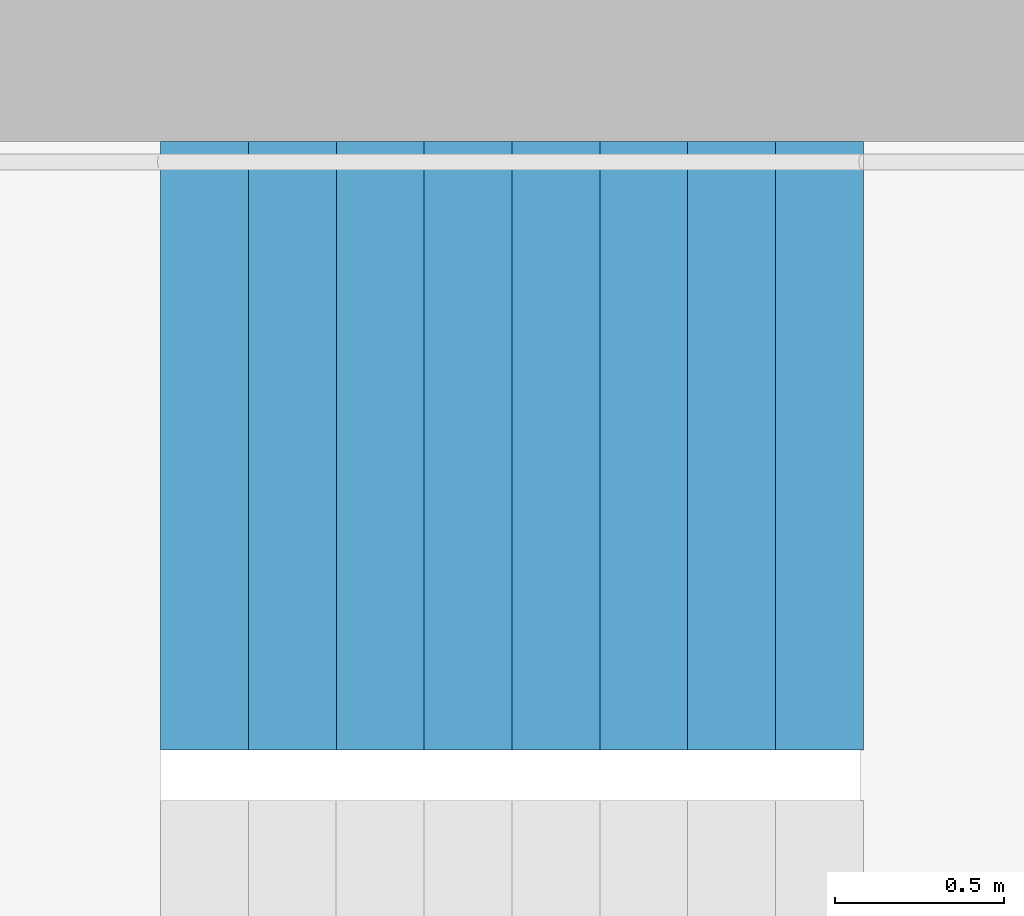
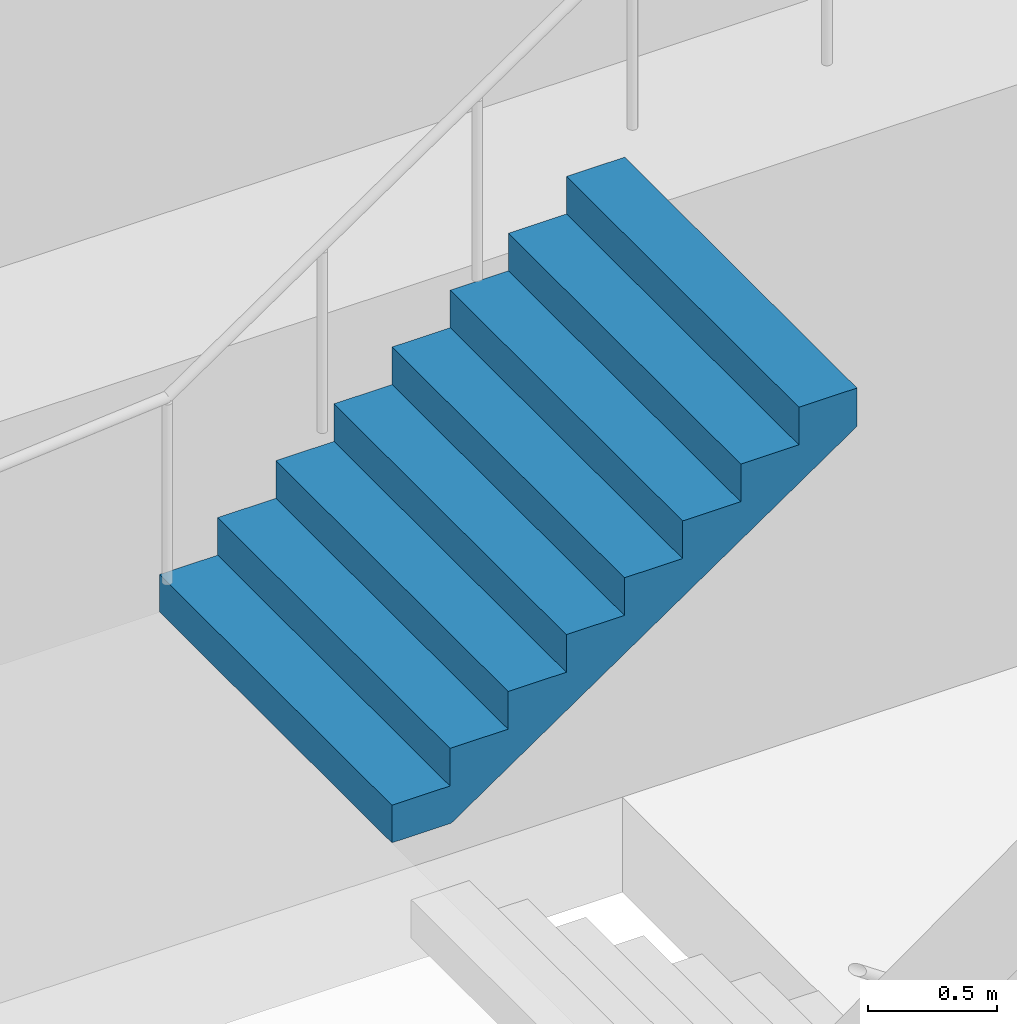
# One storey, part 25 of 26: 1 stair flight, 1 element without a shape of its own.
"""IFC4 building model written with IfcOpenShell, lengths in metres."""

from ifc_helpers import new_model, si_unit, direction, frame, origin, place, context, subcontext, project, spatial, triangles, material, type_object, element, aggregate, save


model = new_model("IFC4")

# Units and contexts
model_context = context("Model", 3, precision=1e-05, world=origin(), true_north=direction((0.0, 1.0)))
body_context = subcontext(model_context, "Body", "Model", "MODEL_VIEW")
ifc_project = project(units=[si_unit("LENGTHUNIT", "METRE"), si_unit("AREAUNIT", "SQUARE_METRE"), si_unit("VOLUMEUNIT", "CUBIC_METRE"), si_unit("PLANEANGLEUNIT", "RADIAN"), si_unit("MASSUNIT", "GRAM", prefix="KILO")], contexts=[model_context])

# Site, building, storey
site_placement = place(None, origin())
site = spatial("IfcSite", under=ifc_project, at=site_placement, CompositionType="ELEMENT")
building_placement = place(site_placement, origin())
building = spatial("IfcBuilding", under=site, at=building_placement, Name="Hakoniwa Tower and Hamabe Station Hall", CompositionType="ELEMENT")
storey_placement = place(building_placement, frame((0.0, 0.0, 159.800048828125)))
storey = spatial("IfcBuildingStorey", under=building, at=storey_placement, Name="L45", CompositionType="ELEMENT", Elevation=159.800048828125)

# Stair, stair flight
ifc_material_1 = material(Name="Concrete C40", Category="concrete")
stair_type = type_object("IfcStairType", Name="ESCAPE STAIR 1800", PredefinedType="HALF_TURN_STAIR", material=ifc_material_1)
stair_placement = place(storey_placement, origin())
stair = element("IfcStair", 1, at=stair_placement, inside=storey, type_object=stair_type, Name="Escape stair ST-3 L45", PredefinedType="HALF_TURN_STAIR")
ifc_material_2 = material(Name="Concrete C40", Category="concrete")
stair_flight_type = type_object("IfcStairFlightType", Name="STAIR FLIGHT 1800", PredefinedType="STRAIGHT", material=ifc_material_2)
stair_flight_placement = place(storey_placement, frame((22.320068359375, 6.60009765625, 1.599853515625), z_axis=(0.0, 0.0, 1.0), x_axis=(1.0, 0.0, 0.0)))
stair_flight = element("IfcStairFlight", 2, at=stair_flight_placement, type_object=stair_flight_type, Name="ST-3 flight 2", NumberOfRisers=9, NumberOfTreads=8, PredefinedType="STRAIGHT", RiserHeight=0.177777778, TreadLength=0.26, context=body_context, shape_type="Tessellation", body=[
    triangles([(0.0, 0.89990234375, 0.0), (0.260009765625, 0.89990234375, 0.0), (0.265625, 0.89990234375, 0.0), (0.52001953125, 0.89990234375, 0.174072265625), (0.780029296875, 0.89990234375, 0.351806640625), (1.0400390625, 0.89990234375, 0.529541015625), (1.300048828125, 0.89990234375, 0.707275390625), (1.56005859375, 0.89990234375, 0.885009765625), (1.820068359375, 0.89990234375, 1.062744140625), (2.080078125, 0.89990234375, 1.24072265625), (2.080078125, 0.89990234375, 1.422119140625), (1.820068359375, 0.89990234375, 1.422119140625), (1.820068359375, 0.89990234375, 1.244384765625), (1.56005859375, 0.89990234375, 1.244384765625), (1.56005859375, 0.89990234375, 1.066650390625), (1.300048828125, 0.89990234375, 1.066650390625), (1.300048828125, 0.89990234375, 0.888916015625), (1.0400390625, 0.89990234375, 0.888916015625), (1.0400390625, 0.89990234375, 0.711181640625), (0.780029296875, 0.89990234375, 0.711181640625), (0.780029296875, 0.89990234375, 0.533447265625), (0.52001953125, 0.89990234375, 0.533447265625), (0.52001953125, 0.89990234375, 0.35546875), (0.265625, 0.89990234375, 0.35546875), (0.260009765625, 0.89990234375, 0.35546875), (0.260009765625, 0.89990234375, 0.177734375), (0.0, 0.89990234375, 0.177734375), (0.0, 0.06005859375, 0.0), (0.260009765625, 0.06005859375, 0.0), (0.265625, 0.06005859375, 0.0), (0.52001953125, 0.06005859375, 0.174072265625), (0.780029296875, 0.06005859375, 0.351806640625), (1.0400390625, 0.06005859375, 0.529541015625), (1.300048828125, 0.06005859375, 0.707275390625), (1.56005859375, 0.06005859375, 0.885009765625), (1.820068359375, 0.06005859375, 1.062744140625), (2.080078125, 0.06005859375, 1.24072265625), (2.080078125, 0.06005859375, 1.422119140625), (1.820068359375, 0.06005859375, 1.422119140625), (1.820068359375, 0.06005859375, 1.244384765625), (1.56005859375, 0.06005859375, 1.244384765625), (1.56005859375, 0.06005859375, 1.066650390625), (1.300048828125, 0.06005859375, 1.066650390625), (1.300048828125, 0.06005859375, 0.888916015625), (1.0400390625, 0.06005859375, 0.888916015625), (1.0400390625, 0.06005859375, 0.711181640625), (0.780029296875, 0.06005859375, 0.711181640625), (0.780029296875, 0.06005859375, 0.533447265625), (0.52001953125, 0.06005859375, 0.533447265625), (0.52001953125, 0.06005859375, 0.35546875), (0.265625, 0.06005859375, 0.35546875), (0.260009765625, 0.06005859375, 0.35546875), (0.260009765625, 0.06005859375, 0.177734375), (0.0, 0.06005859375, 0.177734375), (0.0, 0.04296875, 0.0), (0.260009765625, 0.04296875, 0.0), (0.265625, 0.04296875, 0.0), (0.52001953125, 0.04296875, 0.174072265625), (0.780029296875, 0.04296875, 0.351806640625), (1.0400390625, 0.04296875, 0.529541015625), (1.300048828125, 0.04296875, 0.707275390625), (1.56005859375, 0.04296875, 0.885009765625), (1.820068359375, 0.04296875, 1.062744140625), (2.080078125, 0.04296875, 1.24072265625), (2.080078125, 0.04296875, 1.422119140625), (1.820068359375, 0.04296875, 1.422119140625), (1.820068359375, 0.04296875, 1.244384765625), (1.56005859375, 0.04296875, 1.244384765625), (1.56005859375, 0.04296875, 1.066650390625), (1.300048828125, 0.04296875, 1.066650390625), (1.300048828125, 0.04296875, 0.888916015625), (1.0400390625, 0.04296875, 0.888916015625), (1.0400390625, 0.04296875, 0.711181640625), (0.780029296875, 0.04296875, 0.711181640625), (0.780029296875, 0.04296875, 0.533447265625), (0.52001953125, 0.04296875, 0.533447265625), (0.52001953125, 0.04296875, 0.35546875), (0.265625, 0.04296875, 0.35546875), (0.260009765625, 0.04296875, 0.35546875), (0.260009765625, 0.04296875, 0.177734375), (0.0, 0.04296875, 0.177734375), (0.0, 0.025634765625, 0.0), (0.260009765625, 0.025634765625, 0.0), (0.265625, 0.025634765625, 0.0), (0.52001953125, 0.025634765625, 0.174072265625), (0.780029296875, 0.025634765625, 0.351806640625), (1.0400390625, 0.025634765625, 0.529541015625), (1.300048828125, 0.025634765625, 0.707275390625), (1.56005859375, 0.025634765625, 0.885009765625), (1.820068359375, 0.025634765625, 1.062744140625), (2.080078125, 0.025634765625, 1.24072265625), (2.080078125, 0.025634765625, 1.422119140625), (1.820068359375, 0.025634765625, 1.422119140625), (1.820068359375, 0.025634765625, 1.244384765625), (1.56005859375, 0.025634765625, 1.244384765625), (1.56005859375, 0.025634765625, 1.066650390625), (1.300048828125, 0.025634765625, 1.066650390625), (1.300048828125, 0.025634765625, 0.888916015625), (1.0400390625, 0.025634765625, 0.888916015625), (1.0400390625, 0.025634765625, 0.711181640625), (0.780029296875, 0.025634765625, 0.711181640625), (0.780029296875, 0.025634765625, 0.533447265625), (0.52001953125, 0.025634765625, 0.533447265625), (0.52001953125, 0.025634765625, 0.35546875), (0.265625, 0.025634765625, 0.35546875), (0.260009765625, 0.025634765625, 0.35546875), (0.260009765625, 0.025634765625, 0.177734375), (0.0, 0.025634765625, 0.177734375), (0.0, 0.008544921875, 0.0), (0.260009765625, 0.008544921875, 0.0), (0.265625, 0.008544921875, 0.0), (0.52001953125, 0.008544921875, 0.174072265625), (0.780029296875, 0.008544921875, 0.351806640625), (1.0400390625, 0.008544921875, 0.529541015625), (1.300048828125, 0.008544921875, 0.707275390625), (1.56005859375, 0.008544921875, 0.885009765625), (1.820068359375, 0.008544921875, 1.062744140625), (2.080078125, 0.008544921875, 1.24072265625), (2.080078125, 0.008544921875, 1.422119140625), (1.820068359375, 0.008544921875, 1.422119140625), (1.820068359375, 0.008544921875, 1.244384765625), (1.56005859375, 0.008544921875, 1.244384765625), (1.56005859375, 0.008544921875, 1.066650390625), (1.300048828125, 0.008544921875, 1.066650390625), (1.300048828125, 0.008544921875, 0.888916015625), (1.0400390625, 0.008544921875, 0.888916015625), (1.0400390625, 0.008544921875, 0.711181640625), (0.780029296875, 0.008544921875, 0.711181640625), (0.780029296875, 0.008544921875, 0.533447265625), (0.52001953125, 0.008544921875, 0.533447265625), (0.52001953125, 0.008544921875, 0.35546875), (0.265625, 0.008544921875, 0.35546875), (0.260009765625, 0.008544921875, 0.35546875), (0.260009765625, 0.008544921875, 0.177734375), (0.0, 0.008544921875, 0.177734375), (0.0, -0.008544921875, 0.0), (0.260009765625, -0.008544921875, 0.0), (0.265625, -0.008544921875, 0.0), (0.52001953125, -0.008544921875, 0.174072265625), (0.780029296875, -0.008544921875, 0.351806640625), (1.0400390625, -0.008544921875, 0.529541015625), (1.300048828125, -0.008544921875, 0.707275390625), (1.56005859375, -0.008544921875, 0.885009765625), (1.820068359375, -0.008544921875, 1.062744140625), (2.080078125, -0.008544921875, 1.24072265625), (2.080078125, -0.008544921875, 1.422119140625), (1.820068359375, -0.008544921875, 1.422119140625), (1.820068359375, -0.008544921875, 1.244384765625), (1.56005859375, -0.008544921875, 1.244384765625), (1.56005859375, -0.008544921875, 1.066650390625), (1.300048828125, -0.008544921875, 1.066650390625), (1.300048828125, -0.008544921875, 0.888916015625), (1.0400390625, -0.008544921875, 0.888916015625), (1.0400390625, -0.008544921875, 0.711181640625), (0.780029296875, -0.008544921875, 0.711181640625), (0.780029296875, -0.008544921875, 0.533447265625), (0.52001953125, -0.008544921875, 0.533447265625), (0.52001953125, -0.008544921875, 0.35546875), (0.265625, -0.008544921875, 0.35546875), (0.260009765625, -0.008544921875, 0.35546875), (0.260009765625, -0.008544921875, 0.177734375), (0.0, -0.008544921875, 0.177734375), (0.0, -0.025634765625, 0.0), (0.260009765625, -0.025634765625, 0.0), (0.265625, -0.025634765625, 0.0), (0.52001953125, -0.025634765625, 0.174072265625), (0.780029296875, -0.025634765625, 0.351806640625), (1.0400390625, -0.025634765625, 0.529541015625), (1.300048828125, -0.025634765625, 0.707275390625), (1.56005859375, -0.025634765625, 0.885009765625), (1.820068359375, -0.025634765625, 1.062744140625), (2.080078125, -0.025634765625, 1.24072265625), (2.080078125, -0.025634765625, 1.422119140625), (1.820068359375, -0.025634765625, 1.422119140625), (1.820068359375, -0.025634765625, 1.244384765625), (1.56005859375, -0.025634765625, 1.244384765625), (1.56005859375, -0.025634765625, 1.066650390625), (1.300048828125, -0.025634765625, 1.066650390625), (1.300048828125, -0.025634765625, 0.888916015625), (1.0400390625, -0.025634765625, 0.888916015625), (1.0400390625, -0.025634765625, 0.711181640625), (0.780029296875, -0.025634765625, 0.711181640625), (0.780029296875, -0.025634765625, 0.533447265625), (0.52001953125, -0.025634765625, 0.533447265625), (0.52001953125, -0.025634765625, 0.35546875), (0.265625, -0.025634765625, 0.35546875), (0.260009765625, -0.025634765625, 0.35546875), (0.260009765625, -0.025634765625, 0.177734375), (0.0, -0.025634765625, 0.177734375), (0.0, -0.04296875, 0.0), (0.260009765625, -0.04296875, 0.0), (0.265625, -0.04296875, 0.0), (0.52001953125, -0.04296875, 0.174072265625), (0.780029296875, -0.04296875, 0.351806640625), (1.0400390625, -0.04296875, 0.529541015625), (1.300048828125, -0.04296875, 0.707275390625), (1.56005859375, -0.04296875, 0.885009765625), (1.820068359375, -0.04296875, 1.062744140625), (2.080078125, -0.04296875, 1.24072265625), (2.080078125, -0.04296875, 1.422119140625), (1.820068359375, -0.04296875, 1.422119140625), (1.820068359375, -0.04296875, 1.244384765625), (1.56005859375, -0.04296875, 1.244384765625), (1.56005859375, -0.04296875, 1.066650390625), (1.300048828125, -0.04296875, 1.066650390625), (1.300048828125, -0.04296875, 0.888916015625), (1.0400390625, -0.04296875, 0.888916015625), (1.0400390625, -0.04296875, 0.711181640625), (0.780029296875, -0.04296875, 0.711181640625), (0.780029296875, -0.04296875, 0.533447265625), (0.52001953125, -0.04296875, 0.533447265625), (0.52001953125, -0.04296875, 0.35546875), (0.265625, -0.04296875, 0.35546875), (0.260009765625, -0.04296875, 0.35546875), (0.260009765625, -0.04296875, 0.177734375), (0.0, -0.04296875, 0.177734375), (0.0, -0.06005859375, 0.0), (0.260009765625, -0.06005859375, 0.0), (0.265625, -0.06005859375, 0.0), (0.52001953125, -0.06005859375, 0.174072265625), (0.780029296875, -0.06005859375, 0.351806640625), (1.0400390625, -0.06005859375, 0.529541015625), (1.300048828125, -0.06005859375, 0.707275390625), (1.56005859375, -0.06005859375, 0.885009765625), (1.820068359375, -0.06005859375, 1.062744140625), (2.080078125, -0.06005859375, 1.24072265625), (2.080078125, -0.06005859375, 1.422119140625), (1.820068359375, -0.06005859375, 1.422119140625), (1.820068359375, -0.06005859375, 1.244384765625), (1.56005859375, -0.06005859375, 1.244384765625), (1.56005859375, -0.06005859375, 1.066650390625), (1.300048828125, -0.06005859375, 1.066650390625), (1.300048828125, -0.06005859375, 0.888916015625), (1.0400390625, -0.06005859375, 0.888916015625), (1.0400390625, -0.06005859375, 0.711181640625), (0.780029296875, -0.06005859375, 0.711181640625), (0.780029296875, -0.06005859375, 0.533447265625), (0.52001953125, -0.06005859375, 0.533447265625), (0.52001953125, -0.06005859375, 0.35546875), (0.265625, -0.06005859375, 0.35546875), (0.260009765625, -0.06005859375, 0.35546875), (0.260009765625, -0.06005859375, 0.177734375), (0.0, -0.06005859375, 0.177734375), (0.0, -0.89990234375, 0.0), (0.260009765625, -0.89990234375, 0.0), (0.265625, -0.89990234375, 0.0), (0.52001953125, -0.89990234375, 0.174072265625), (0.780029296875, -0.89990234375, 0.351806640625), (1.0400390625, -0.89990234375, 0.529541015625), (1.300048828125, -0.89990234375, 0.707275390625), (1.56005859375, -0.89990234375, 0.885009765625), (1.820068359375, -0.89990234375, 1.062744140625), (2.080078125, -0.89990234375, 1.24072265625), (2.080078125, -0.89990234375, 1.422119140625), (1.820068359375, -0.89990234375, 1.422119140625), (1.820068359375, -0.89990234375, 1.244384765625), (1.56005859375, -0.89990234375, 1.244384765625), (1.56005859375, -0.89990234375, 1.066650390625), (1.300048828125, -0.89990234375, 1.066650390625), (1.300048828125, -0.89990234375, 0.888916015625), (1.0400390625, -0.89990234375, 0.888916015625), (1.0400390625, -0.89990234375, 0.711181640625), (0.780029296875, -0.89990234375, 0.711181640625), (0.780029296875, -0.89990234375, 0.533447265625), (0.52001953125, -0.89990234375, 0.533447265625), (0.52001953125, -0.89990234375, 0.35546875), (0.265625, -0.89990234375, 0.35546875), (0.260009765625, -0.89990234375, 0.35546875), (0.260009765625, -0.89990234375, 0.177734375), (0.0, -0.89990234375, 0.177734375)], [[2, 27, 26], [245, 269, 270], [2, 1, 27], [245, 270, 244], [3, 25, 24], [246, 267, 268], [3, 26, 25], [246, 268, 269], [3, 2, 26], [246, 269, 245], [4, 24, 23], [247, 266, 267], [4, 3, 24], [247, 267, 246], [5, 22, 21], [248, 264, 265], [5, 23, 22], [248, 265, 266], [5, 4, 23], [248, 266, 247], [6, 20, 19], [249, 262, 263], [6, 21, 20], [249, 263, 264], [6, 5, 21], [249, 264, 248], [7, 18, 17], [250, 260, 261], [7, 19, 18], [250, 261, 262], [7, 6, 19], [250, 262, 249], [8, 16, 15], [251, 258, 259], [8, 17, 16], [251, 259, 260], [8, 7, 17], [251, 260, 250], [9, 14, 13], [252, 256, 257], [9, 15, 14], [252, 257, 258], [9, 8, 15], [252, 258, 251], [10, 12, 11], [253, 254, 255], [10, 13, 12], [253, 255, 256], [10, 9, 13], [253, 256, 252], [1, 2, 29], [1, 29, 28], [28, 29, 56], [28, 56, 55], [55, 56, 83], [55, 83, 82], [82, 83, 110], [82, 110, 109], [109, 110, 137], [109, 137, 136], [136, 137, 164], [136, 164, 163], [163, 164, 191], [163, 191, 190], [190, 191, 218], [190, 218, 217], [217, 218, 245], [217, 245, 244], [2, 3, 30], [2, 30, 29], [29, 30, 57], [29, 57, 56], [56, 57, 84], [56, 84, 83], [83, 84, 111], [83, 111, 110], [110, 111, 138], [110, 138, 137], [137, 138, 165], [137, 165, 164], [164, 165, 192], [164, 192, 191], [191, 192, 219], [191, 219, 218], [218, 219, 246], [218, 246, 245], [3, 4, 31], [3, 31, 30], [30, 31, 58], [30, 58, 57], [57, 58, 85], [57, 85, 84], [84, 85, 112], [84, 112, 111], [111, 112, 139], [111, 139, 138], [138, 139, 166], [138, 166, 165], [165, 166, 193], [165, 193, 192], [192, 193, 220], [192, 220, 219], [219, 220, 247], [219, 247, 246], [4, 5, 32], [4, 32, 31], [31, 32, 59], [31, 59, 58], [58, 59, 86], [58, 86, 85], [85, 86, 113], [85, 113, 112], [112, 113, 140], [112, 140, 139], [139, 140, 167], [139, 167, 166], [166, 167, 194], [166, 194, 193], [193, 194, 221], [193, 221, 220], [220, 221, 248], [220, 248, 247], [5, 6, 33], [5, 33, 32], [32, 33, 60], [32, 60, 59], [59, 60, 87], [59, 87, 86], [86, 87, 114], [86, 114, 113], [113, 114, 141], [113, 141, 140], [140, 141, 168], [140, 168, 167], [167, 168, 195], [167, 195, 194], [194, 195, 222], [194, 222, 221], [221, 222, 249], [221, 249, 248], [6, 7, 34], [6, 34, 33], [33, 34, 61], [33, 61, 60], [60, 61, 88], [60, 88, 87], [87, 88, 115], [87, 115, 114], [114, 115, 142], [114, 142, 141], [141, 142, 169], [141, 169, 168], [168, 169, 196], [168, 196, 195], [195, 196, 223], [195, 223, 222], [222, 223, 250], [222, 250, 249], [7, 8, 35], [7, 35, 34], [34, 35, 62], [34, 62, 61], [61, 62, 89], [61, 89, 88], [88, 89, 116], [88, 116, 115], [115, 116, 143], [115, 143, 142], [142, 143, 170], [142, 170, 169], [169, 170, 197], [169, 197, 196], [196, 197, 224], [196, 224, 223], [223, 224, 251], [223, 251, 250], [8, 9, 36], [8, 36, 35], [35, 36, 63], [35, 63, 62], [62, 63, 90], [62, 90, 89], [89, 90, 117], [89, 117, 116], [116, 117, 144], [116, 144, 143], [143, 144, 171], [143, 171, 170], [170, 171, 198], [170, 198, 197], [197, 198, 225], [197, 225, 224], [224, 225, 252], [224, 252, 251], [9, 10, 37], [9, 37, 36], [36, 37, 64], [36, 64, 63], [63, 64, 91], [63, 91, 90], [90, 91, 118], [90, 118, 117], [117, 118, 145], [117, 145, 144], [144, 145, 172], [144, 172, 171], [171, 172, 199], [171, 199, 198], [198, 199, 226], [198, 226, 225], [225, 226, 253], [225, 253, 252], [10, 11, 38], [10, 38, 37], [37, 38, 65], [37, 65, 64], [64, 65, 92], [64, 92, 91], [91, 92, 119], [91, 119, 118], [118, 119, 146], [118, 146, 145], [145, 146, 173], [145, 173, 172], [172, 173, 200], [172, 200, 199], [199, 200, 227], [199, 227, 226], [226, 227, 254], [226, 254, 253], [11, 12, 39], [11, 39, 38], [38, 39, 66], [38, 66, 65], [65, 66, 93], [65, 93, 92], [92, 93, 120], [92, 120, 119], [119, 120, 147], [119, 147, 146], [146, 147, 174], [146, 174, 173], [173, 174, 201], [173, 201, 200], [200, 201, 228], [200, 228, 227], [227, 228, 255], [227, 255, 254], [12, 13, 40], [12, 40, 39], [39, 40, 67], [39, 67, 66], [66, 67, 94], [66, 94, 93], [93, 94, 121], [93, 121, 120], [120, 121, 148], [120, 148, 147], [147, 148, 175], [147, 175, 174], [174, 175, 202], [174, 202, 201], [201, 202, 229], [201, 229, 228], [228, 229, 256], [228, 256, 255], [13, 14, 41], [13, 41, 40], [40, 41, 68], [40, 68, 67], [67, 68, 95], [67, 95, 94], [94, 95, 122], [94, 122, 121], [121, 122, 149], [121, 149, 148], [148, 149, 176], [148, 176, 175], [175, 176, 203], [175, 203, 202], [202, 203, 230], [202, 230, 229], [229, 230, 257], [229, 257, 256], [14, 15, 42], [14, 42, 41], [41, 42, 69], [41, 69, 68], [68, 69, 96], [68, 96, 95], [95, 96, 123], [95, 123, 122], [122, 123, 150], [122, 150, 149], [149, 150, 177], [149, 177, 176], [176, 177, 204], [176, 204, 203], [203, 204, 231], [203, 231, 230], [230, 231, 258], [230, 258, 257], [15, 16, 43], [15, 43, 42], [42, 43, 70], [42, 70, 69], [69, 70, 97], [69, 97, 96], [96, 97, 124], [96, 124, 123], [123, 124, 151], [123, 151, 150], [150, 151, 178], [150, 178, 177], [177, 178, 205], [177, 205, 204], [204, 205, 232], [204, 232, 231], [231, 232, 259], [231, 259, 258], [16, 17, 44], [16, 44, 43], [43, 44, 71], [43, 71, 70], [70, 71, 98], [70, 98, 97], [97, 98, 125], [97, 125, 124], [124, 125, 152], [124, 152, 151], [151, 152, 179], [151, 179, 178], [178, 179, 206], [178, 206, 205], [205, 206, 233], [205, 233, 232], [232, 233, 260], [232, 260, 259], [17, 18, 45], [17, 45, 44], [44, 45, 72], [44, 72, 71], [71, 72, 99], [71, 99, 98], [98, 99, 126], [98, 126, 125], [125, 126, 153], [125, 153, 152], [152, 153, 180], [152, 180, 179], [179, 180, 207], [179, 207, 206], [206, 207, 234], [206, 234, 233], [233, 234, 261], [233, 261, 260], [18, 19, 46], [18, 46, 45], [45, 46, 73], [45, 73, 72], [72, 73, 100], [72, 100, 99], [99, 100, 127], [99, 127, 126], [126, 127, 154], [126, 154, 153], [153, 154, 181], [153, 181, 180], [180, 181, 208], [180, 208, 207], [207, 208, 235], [207, 235, 234], [234, 235, 262], [234, 262, 261], [19, 20, 47], [19, 47, 46], [46, 47, 74], [46, 74, 73], [73, 74, 101], [73, 101, 100], [100, 101, 128], [100, 128, 127], [127, 128, 155], [127, 155, 154], [154, 155, 182], [154, 182, 181], [181, 182, 209], [181, 209, 208], [208, 209, 236], [208, 236, 235], [235, 236, 263], [235, 263, 262], [20, 21, 48], [20, 48, 47], [47, 48, 75], [47, 75, 74], [74, 75, 102], [74, 102, 101], [101, 102, 129], [101, 129, 128], [128, 129, 156], [128, 156, 155], [155, 156, 183], [155, 183, 182], [182, 183, 210], [182, 210, 209], [209, 210, 237], [209, 237, 236], [236, 237, 264], [236, 264, 263], [21, 22, 49], [21, 49, 48], [48, 49, 76], [48, 76, 75], [75, 76, 103], [75, 103, 102], [102, 103, 130], [102, 130, 129], [129, 130, 157], [129, 157, 156], [156, 157, 184], [156, 184, 183], [183, 184, 211], [183, 211, 210], [210, 211, 238], [210, 238, 237], [237, 238, 265], [237, 265, 264], [22, 23, 50], [22, 50, 49], [49, 50, 77], [49, 77, 76], [76, 77, 104], [76, 104, 103], [103, 104, 131], [103, 131, 130], [130, 131, 158], [130, 158, 157], [157, 158, 185], [157, 185, 184], [184, 185, 212], [184, 212, 211], [211, 212, 239], [211, 239, 238], [238, 239, 266], [238, 266, 265], [23, 24, 51], [23, 51, 50], [50, 51, 78], [50, 78, 77], [77, 78, 105], [77, 105, 104], [104, 105, 132], [104, 132, 131], [131, 132, 159], [131, 159, 158], [158, 159, 186], [158, 186, 185], [185, 186, 213], [185, 213, 212], [212, 213, 240], [212, 240, 239], [239, 240, 267], [239, 267, 266], [24, 25, 52], [24, 52, 51], [51, 52, 79], [51, 79, 78], [78, 79, 106], [78, 106, 105], [105, 106, 133], [105, 133, 132], [132, 133, 160], [132, 160, 159], [159, 160, 187], [159, 187, 186], [186, 187, 214], [186, 214, 213], [213, 214, 241], [213, 241, 240], [240, 241, 268], [240, 268, 267], [25, 26, 53], [25, 53, 52], [52, 53, 80], [52, 80, 79], [79, 80, 107], [79, 107, 106], [106, 107, 134], [106, 134, 133], [133, 134, 161], [133, 161, 160], [160, 161, 188], [160, 188, 187], [187, 188, 215], [187, 215, 214], [214, 215, 242], [214, 242, 241], [241, 242, 269], [241, 269, 268], [26, 27, 54], [26, 54, 53], [53, 54, 81], [53, 81, 80], [80, 81, 108], [80, 108, 107], [107, 108, 135], [107, 135, 134], [134, 135, 162], [134, 162, 161], [161, 162, 189], [161, 189, 188], [188, 189, 216], [188, 216, 215], [215, 216, 243], [215, 243, 242], [242, 243, 270], [242, 270, 269], [27, 1, 28], [27, 28, 54], [54, 28, 55], [54, 55, 81], [81, 55, 82], [81, 82, 108], [108, 82, 109], [108, 109, 135], [135, 109, 136], [135, 136, 162], [162, 136, 163], [162, 163, 189], [189, 163, 190], [189, 190, 216], [216, 190, 217], [216, 217, 243], [243, 217, 244], [243, 244, 270]], closed=True),
])
aggregate(stair, [stair_flight])

save(model, "model.ifc")
